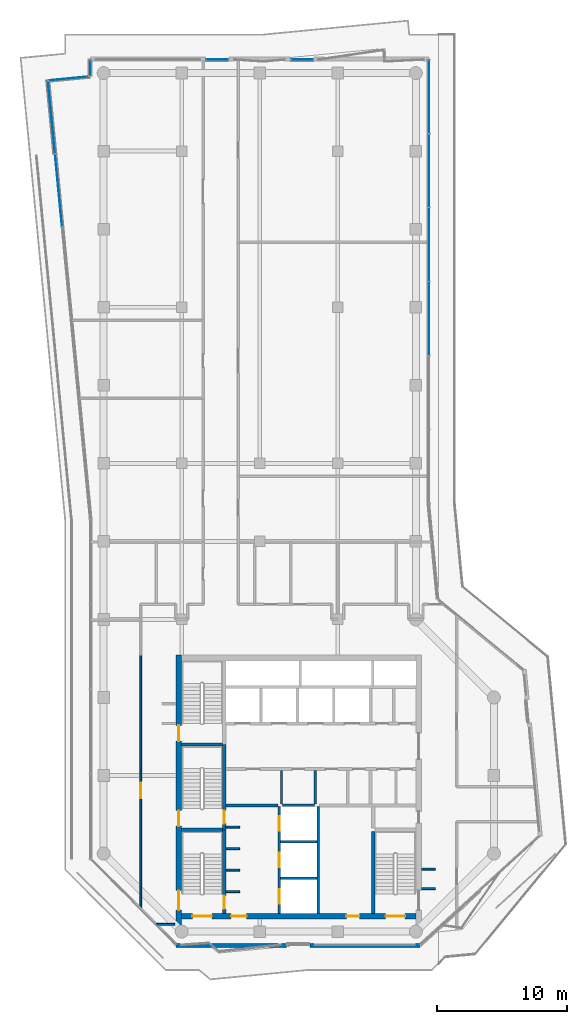
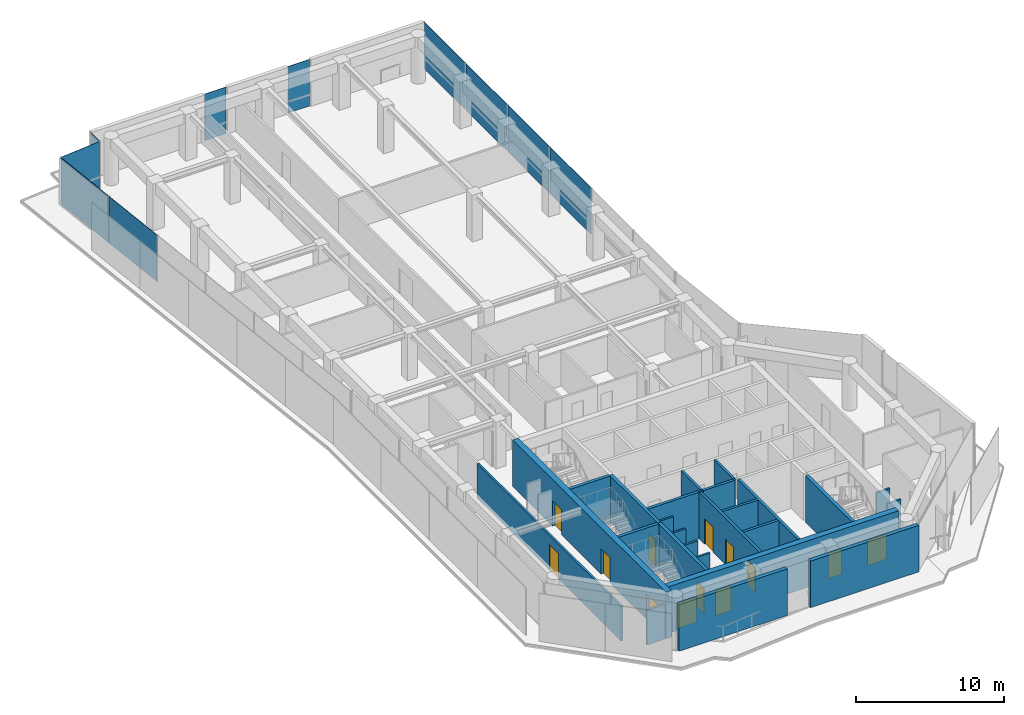
# One storey, part 18 of 23: 25 walls, 13 doors, 10 plates, 13 openings, 6 elements without a shape of their own.
"""IFC4 building model written with IfcOpenShell, lengths in metres."""

from ifc_helpers import new_model, si_unit, direction, frame, frame_2d, origin, origin_2d, place, context, subcontext, project, spatial, rectangle, extrude, material, layer, layer_set, type_object, element, fill, aggregate, save


model = new_model("IFC4")

# Units and contexts
model_context = context("Model", 3, precision=1e-05, world=origin(), true_north=direction((0.0, 1.0)))
body_context = subcontext(model_context, "Body", "Model", "MODEL_VIEW")
ifc_project = project(units=[si_unit("LENGTHUNIT", "METRE"), si_unit("AREAUNIT", "SQUARE_METRE"), si_unit("VOLUMEUNIT", "CUBIC_METRE"), si_unit("PLANEANGLEUNIT", "RADIAN"), si_unit("MASSUNIT", "GRAM", prefix="KILO")], contexts=[model_context])

# Site, building, storey
site_placement = place(None, origin())
site = spatial("IfcSite", under=ifc_project, at=site_placement, CompositionType="ELEMENT")
building_placement = place(site_placement, origin())
building = spatial("IfcBuilding", under=site, at=building_placement, Name="Welwitschia Terrace Campus", CompositionType="ELEMENT")
storey_placement = place(building_placement, frame((0.0, 0.0, 205.39990234375)))
storey = spatial("IfcBuildingStorey", under=building, at=storey_placement, Name="L45", CompositionType="ELEMENT", Elevation=205.39990234375)

# Curtain wall, plates
ifc_material_1 = material(Name="Bronze anodised aluminium", Category="aluminium")
ifc_layer_1 = layer(ifc_material_1, 0.1201171875)
ifc_layer_set_1 = layer_set([ifc_layer_1], Name="Bronze anodised aluminium")
curtain_wall_type = type_object("IfcCurtainWallType", Name="Curtain wall CW2 tower 6000", PredefinedType="NOTDEFINED", material=ifc_layer_set_1)
curtain_wall_1_placement = place(storey_placement, origin())
curtain_wall_1 = element("IfcCurtainWall", 1, at=curtain_wall_1_placement, inside=storey, type_object=curtain_wall_type, Name="CW L45.7.0", PredefinedType="NOTDEFINED")
ifc_material_2 = material(Name="Tinted bronze-grey glass", Category="glass")
ifc_layer_2 = layer(ifc_material_2, 0.028076171875)
ifc_layer_set_2 = layer_set([ifc_layer_2], Name="Tinted bronze-grey glass")
plate_type = type_object("IfcPlateType", Name="Glass panel 28 tinted", PredefinedType="CURTAIN_PANEL", material=ifc_layer_set_2)
plate_1_placement = place(storey_placement, frame((25.030029296875, 51.132080078125, 0.0), z_axis=(0.0, 0.0, 1.0), x_axis=(0.0, 1.0, 0.0)))
plate_1 = element("IfcPlate", 2, at=plate_1_placement, type_object=plate_type, Name="Panel L45.7.0.2", PredefinedType="CURTAIN_PANEL", context=body_context, shape_type="SweptSolid", body=[
    extrude(rectangle(XDim=5.625244140625, YDim=0.028076171875, at=origin_2d()), origin(), (0.0, 0.0, 1.0), 3.85009765625),
])
plate_2_placement = place(storey_placement, frame((25.030029296875, 56.817138671875, 0.0), z_axis=(0.0, 0.0, 1.0), x_axis=(0.0, 1.0, 0.0)))
plate_2 = element("IfcPlate", 3, at=plate_2_placement, type_object=plate_type, Name="Panel L45.7.0.3", PredefinedType="CURTAIN_PANEL", context=body_context, shape_type="SweptSolid", body=[
    extrude(rectangle(XDim=5.625244140625, YDim=0.028076171875, at=origin_2d()), origin(), (0.0, 0.0, 1.0), 3.85009765625),
])
plate_3_placement = place(storey_placement, frame((25.030029296875, 62.502197265625, 0.0), z_axis=(0.0, 0.0, 1.0), x_axis=(0.0, 1.0, 0.0)))
plate_3 = element("IfcPlate", 4, at=plate_3_placement, type_object=plate_type, Name="Panel L45.7.0.4", PredefinedType="CURTAIN_PANEL", context=body_context, shape_type="SweptSolid", body=[
    extrude(rectangle(XDim=5.625244140625, YDim=0.028076171875, at=origin_2d()), origin(), (0.0, 0.0, 1.0), 3.85009765625),
])
plate_4_placement = place(storey_placement, frame((25.030029296875, 68.17236328125, 0.0), z_axis=(0.0, 0.0, 1.0), x_axis=(0.0, 1.0, 0.0)))
plate_4 = element("IfcPlate", 5, at=plate_4_placement, type_object=plate_type, Name="Panel L45.7.0.5", PredefinedType="CURTAIN_PANEL", context=body_context, shape_type="SweptSolid", body=[
    extrude(rectangle(XDim=5.59521484375, YDim=0.028076171875, at=origin_2d()), origin(), (0.0, 0.0, 1.0), 3.85009765625),
])
aggregate(curtain_wall_1, [plate_1, plate_2, plate_3, plate_4])

# Curtain wall, plate
curtain_wall_2_placement = place(storey_placement, origin())
curtain_wall_2 = element("IfcCurtainWall", 6, at=curtain_wall_2_placement, inside=storey, type_object=curtain_wall_type, Name="CW L45.8.S0", PredefinedType="NOTDEFINED")
plate_5_placement = place(storey_placement, frame((15.257568359375, 71.030029296875, 0.0), z_axis=(0.0, 0.0, 1.0), x_axis=(-1.0, 0.0, 0.0)))
plate_5 = element("IfcPlate", 7, at=plate_5_placement, type_object=plate_type, Name="Panel L45.8.S0.0", PredefinedType="CURTAIN_PANEL", context=body_context, shape_type="SweptSolid", body=[
    extrude(rectangle(XDim=1.679931640625, YDim=0.028076171875, at=origin_2d()), origin(), (0.0, 0.0, 1.0), 3.85009765625),
])
aggregate(curtain_wall_2, [plate_5])

curtain_wall_3_placement = place(storey_placement, origin())
curtain_wall_3 = element("IfcCurtainWall", 8, at=curtain_wall_3_placement, inside=storey, type_object=curtain_wall_type, Name="CW L45.8.S1", PredefinedType="NOTDEFINED")
plate_6_placement = place(storey_placement, frame((8.742431640625, 71.030029296875, 0.0), z_axis=(0.0, 0.0, 1.0), x_axis=(-1.0, 0.0, 0.0)))
plate_6 = element("IfcPlate", 9, at=plate_6_placement, type_object=plate_type, Name="Panel L45.8.S1.0", PredefinedType="CURTAIN_PANEL", context=body_context, shape_type="SweptSolid", body=[
    extrude(rectangle(XDim=1.679931640625, YDim=0.028076171875, at=origin_2d()), origin(), (0.0, 0.0, 1.0), 3.85009765625),
])
aggregate(curtain_wall_3, [plate_6])

curtain_wall_4_placement = place(storey_placement, origin())
curtain_wall_4 = element("IfcCurtainWall", 10, at=curtain_wall_4_placement, inside=storey, type_object=curtain_wall_type, Name="CW L45.9.0", PredefinedType="NOTDEFINED")
plate_7_placement = place(storey_placement, frame((-1.030029296875, 70.3876953125, 0.0), z_axis=(0.0, 0.0, 1.0), x_axis=(0.0, -1.0, 0.0)))
plate_7 = element("IfcPlate", 11, at=plate_7_placement, type_object=plate_type, Name="Panel L45.9.0.0", PredefinedType="CURTAIN_PANEL", context=body_context, shape_type="SweptSolid", body=[
    extrude(rectangle(XDim=1.164306640625, YDim=0.028076171875, at=origin_2d()), origin(), (0.0, 0.0, 1.0), 3.85009765625),
])
aggregate(curtain_wall_4, [plate_7])

curtain_wall_5_placement = place(storey_placement, origin())
curtain_wall_5 = element("IfcCurtainWall", 12, at=curtain_wall_5_placement, inside=storey, type_object=curtain_wall_type, Name="CW L45.10.0", PredefinedType="NOTDEFINED")
plate_8_placement = place(storey_placement, frame((-2.655517578125, 69.589111328125, 0.0), z_axis=(0.0, 0.0, 1.0), x_axis=(-0.995396198367, -0.09584575252, 0.0)))
plate_8 = element("IfcPlate", 13, at=plate_8_placement, type_object=plate_type, Name="Panel L45.10.0.0", PredefinedType="CURTAIN_PANEL", context=body_context, shape_type="SweptSolid", body=[
    extrude(rectangle(XDim=3.146240234375, YDim=0.028076171875, at=origin_2d()), origin(), (0.0, 0.0, 1.0), 3.85009765625),
])
aggregate(curtain_wall_5, [plate_8])

# Curtain wall, plates
curtain_wall_6_placement = place(storey_placement, origin())
curtain_wall_6 = element("IfcCurtainWall", 14, at=curtain_wall_6_placement, inside=storey, type_object=curtain_wall_type, Name="CW L45.11.0", PredefinedType="NOTDEFINED")
plate_9_placement = place(storey_placement, frame((-4.0087890625, 66.603759765625, 0.0), z_axis=(0.0, 0.0, 1.0), x_axis=(0.09584575252, -0.995396198367, 0.0)))
plate_9 = element("IfcPlate", 15, at=plate_9_placement, type_object=plate_type, Name="Panel L45.11.0.0", PredefinedType="CURTAIN_PANEL", context=body_context, shape_type="SweptSolid", body=[
    extrude(rectangle(XDim=5.5634765625, YDim=0.028076171875, at=origin_2d()), origin(), (0.0, 0.0, 1.0), 3.85009765625),
])
plate_10_placement = place(storey_placement, frame((-3.468505859375, 60.9912109375, 0.0), z_axis=(0.0, 0.0, 1.0), x_axis=(0.09584575252, -0.995396198367, 0.0)))
plate_10 = element("IfcPlate", 16, at=plate_10_placement, type_object=plate_type, Name="Panel L45.11.0.1", PredefinedType="CURTAIN_PANEL", context=body_context, shape_type="SweptSolid", body=[
    extrude(rectangle(XDim=5.593505859375, YDim=0.028076171875, at=origin_2d()), origin(), (0.0, 0.0, 1.0), 3.85009765625),
])
aggregate(curtain_wall_6, [plate_9, plate_10])

# Walls
ifc_material_3 = material(Name="Concrete C32/40", Category="concrete")
ifc_layer_3 = layer(ifc_material_3, 0.175048828125)
ifc_layer_set_3 = layer_set([ifc_layer_3], Name="Concrete C32/40")
wall_type_1 = type_object("IfcWallType", Name="Core partition 175 Concrete C32/40", PredefinedType="PARTITIONING", material=ifc_layer_set_3)
for number, where, z_axis, x_axis, name in (
    (17, (13.675048828125, 13.800048828125, 0.0), (0.0, 0.0, 1.0), (0.0, 1.0, 0.0), "Core partition"),
    (18, (16.27490234375, 13.800048828125, 0.0), (0.0, 0.0, 1.0), (0.0, 1.0, 0.0), "Core partition"),
):
    element("IfcWall", number, at=place(storey_placement, frame(where, z_axis=z_axis, x_axis=x_axis)), inside=storey, type_object=wall_type_1, Name=name, PredefinedType="PARTITIONING", context=body_context, shape_type="SweptSolid", body=[
        extrude(rectangle(XDim=2.599853515625, YDim=0.175048828125, at=frame_2d((1.2998046875, 0.0))), origin(), (0.0, 0.0, 1.0), 3.85009765625),
    ])
ifc_material_4 = material(Name="Concrete C32/40", Category="concrete")
ifc_layer_4 = layer(ifc_material_4, 0.22509765625)
ifc_layer_set_4 = layer_set([ifc_layer_4], Name="Concrete C32/40")
wall_type_2 = type_object("IfcWallType", Name="Core partition 225 Concrete C32/40", PredefinedType="PARTITIONING", material=ifc_layer_set_4)
wall_1_placement = place(storey_placement, frame((9.39990234375, 13.699951171875, 0.0), z_axis=(0.0, 0.0, 1.0), x_axis=(1.0, 0.0, 0.0)))
element("IfcWall", 19, at=wall_1_placement, inside=storey, type_object=wall_type_2, Name="Core partition", PredefinedType="PARTITIONING", context=body_context, shape_type="SweptSolid", body=[
    extrude(rectangle(XDim=4.0, YDim=0.22509765625, at=frame_2d((2.0, 0.0))), origin(), (0.0, 0.0, 1.0), 3.85009765625),
])
ifc_material_5 = material(Name="Concrete C50/60", Category="concrete")
ifc_layer_5 = layer(ifc_material_5, 0.14990234375)
ifc_layer_set_5 = layer_set([ifc_layer_5], Name="Concrete C50/60")
wall_type_3 = type_object("IfcWallType", Name="Core wall 150 Concrete C50/60", PredefinedType="SHEAR", material=ifc_layer_set_5)
for number, where, z_axis, x_axis, name in (
    (20, (9.39990234375, 7.074951171875, 0.0), (0.0, 0.0, 1.0), (1.0, 0.0, 0.0), "Core wall"),
    (21, (9.39990234375, 8.72509765625, 0.0), (0.0, 0.0, 1.0), (1.0, 0.0, 0.0), "Core wall"),
    (22, (9.39990234375, 10.375, 0.0), (0.0, 0.0, 1.0), (1.0, 0.0, 0.0), "Core wall"),
    (23, (9.39990234375, 12.02490234375, 0.0), (0.0, 0.0, 1.0), (1.0, 0.0, 0.0), "Core wall"),
):
    element("IfcWall", number, at=place(storey_placement, frame(where, z_axis=z_axis, x_axis=x_axis)), inside=storey, type_object=wall_type_3, Name=name, PredefinedType="SHEAR", context=body_context, shape_type="SweptSolid", body=[
        extrude(rectangle(XDim=1.050048828125, YDim=0.14990234375, at=frame_2d((0.52490234375, 0.0))), origin(), (0.0, 0.0, 1.0), 3.85009765625),
    ])
ifc_material_6 = material(Name="Concrete C50/60", Category="concrete")
ifc_layer_6 = layer(ifc_material_6, 0.199951171875)
ifc_layer_set_6 = layer_set([ifc_layer_6], Name="Concrete C50/60")
wall_type_4 = type_object("IfcWallType", Name="Core wall 200 Concrete C50/60", PredefinedType="SHEAR", material=ifc_layer_set_6)
for number, where, z_axis, x_axis, name in (
    (24, (13.60009765625, 8.10009765625, 0.0), (0.0, 0.0, 1.0), (1.0, 0.0, 0.0), "Core wall"),
    (25, (13.60009765625, 10.89990234375, 0.0), (0.0, 0.0, 1.0), (1.0, 0.0, 0.0), "Core wall"),
):
    element("IfcWall", number, at=place(storey_placement, frame(where, z_axis=z_axis, x_axis=x_axis)), inside=storey, type_object=wall_type_4, Name=name, PredefinedType="SHEAR", context=body_context, shape_type="SweptSolid", body=[
        extrude(rectangle(XDim=2.7998046875, YDim=0.199951171875, at=frame_2d((1.39990234375, 0.0))), origin(), (0.0, 0.0, 1.0), 3.85009765625),
    ])
wall_2_placement = place(storey_placement, frame((13.75, 13.699951171875, 0.0), z_axis=(0.0, 0.0, 1.0), x_axis=(1.0, 0.0, 0.0)))
element("IfcWall", 26, at=wall_2_placement, inside=storey, type_object=wall_type_4, Name="Core wall", PredefinedType="SHEAR", context=body_context, shape_type="SweptSolid", body=[
    extrude(rectangle(XDim=2.449951171875, YDim=0.199951171875, at=frame_2d((1.22509765625, 0.0))), origin(), (0.0, 0.0, 1.0), 3.85009765625),
])

# Wall, openings, doors
wall_3_placement = place(storey_placement, frame((13.5, 5.39990234375, 0.0), z_axis=(0.0, 0.0, 1.0), x_axis=(0.0, 1.0, 0.0)))
wall_3 = element("IfcWall", 27, at=wall_3_placement, inside=storey, type_object=wall_type_4, Name="Core wall", PredefinedType="SHEAR", context=body_context, shape_type="SweptSolid", body=[
    extrude(rectangle(XDim=8.2001953125, YDim=0.199951171875, at=frame_2d((4.10009765625, 0.0))), origin(), (0.0, 0.0, 1.0), 3.85009765625),
])
opening_1_placement = place(wall_3_placement, frame((0.75, 0.0, 0.0)))
opening_1 = element("IfcOpeningElement", 28, at=opening_1_placement, cuts=wall_3, Name="Opening LD", PredefinedType="OPENING", context=body_context, shape_type="SweptSolid", body=[
    extrude(rectangle(XDim=1.10009765625, YDim=2.10009765625, at=frame_2d((0.550048828125, 1.050048828125))), frame((0.0, 0.10986328125, 0.0), z_axis=(0.0, -1.0, 0.0), x_axis=(1.0, 0.0, 0.0)), (0.0, 0.0, 1.0), 0.219970703125),
])
opening_2_placement = place(wall_3_placement, frame((3.550048828125, 0.0, 0.0)))
opening_2 = element("IfcOpeningElement", 29, at=opening_2_placement, cuts=wall_3, Name="Opening LD", PredefinedType="OPENING", context=body_context, shape_type="SweptSolid", body=[
    extrude(rectangle(XDim=1.10009765625, YDim=2.10009765625, at=frame_2d((0.550048828125, 1.050048828125))), frame((0.0, 0.10986328125, 0.0), z_axis=(0.0, -1.0, 0.0), x_axis=(1.0, 0.0, 0.0)), (0.0, 0.0, 1.0), 0.219970703125),
])
opening_3_placement = place(wall_3_placement, frame((6.35009765625, 0.0, 0.0)))
opening_3 = element("IfcOpeningElement", 30, at=opening_3_placement, cuts=wall_3, Name="Opening LD", PredefinedType="OPENING", context=body_context, shape_type="SweptSolid", body=[
    extrude(rectangle(XDim=1.10009765625, YDim=2.10009765625, at=frame_2d((0.550048828125, 1.050048828125))), frame((0.0, 0.10986328125, 0.0), z_axis=(0.0, -1.0, 0.0), x_axis=(1.0, 0.0, 0.0)), (0.0, 0.0, 1.0), 0.219970703125),
])
ifc_material_7 = material(Name="Stainless steel 304", Category="steel")
door_type_1 = type_object("IfcDoorType", Name="Lift landing door", OperationType="DOUBLE_DOOR_SLIDING", PredefinedType="DOOR", material=ifc_material_7)
door_1_placement = place(opening_1_placement, origin())
door_1 = element("IfcDoor", 31, at=door_1_placement, inside=storey, type_object=door_type_1, Name="Landing door FF1", OperationType="DOUBLE_DOOR_SLIDING", OverallHeight=2.10009765625, OverallWidth=1.10009765625, PredefinedType="DOOR", context=body_context, shape_type="SweptSolid", body=[
    extrude(rectangle(XDim=1.10009765625, YDim=2.10009765625, at=frame_2d((0.550048828125, 1.050048828125))), frame((0.0, 0.02490234375, 0.0), z_axis=(0.0, -1.0, 0.0), x_axis=(1.0, 0.0, 0.0)), (0.0, 0.0, 1.0), 0.050048828125),
])
fill(opening_1, door_1)
door_2_placement = place(opening_2_placement, origin())
door_2 = element("IfcDoor", 32, at=door_2_placement, inside=storey, type_object=door_type_1, Name="Landing door FF2", OperationType="DOUBLE_DOOR_SLIDING", OverallHeight=2.10009765625, OverallWidth=1.10009765625, PredefinedType="DOOR", context=body_context, shape_type="SweptSolid", body=[
    extrude(rectangle(XDim=1.10009765625, YDim=2.10009765625, at=frame_2d((0.550048828125, 1.050048828125))), frame((0.0, 0.02490234375, 0.0), z_axis=(0.0, -1.0, 0.0), x_axis=(1.0, 0.0, 0.0)), (0.0, 0.0, 1.0), 0.050048828125),
])
fill(opening_2, door_2)
door_3_placement = place(opening_3_placement, origin())
door_3 = element("IfcDoor", 33, at=door_3_placement, inside=storey, type_object=door_type_1, Name="Landing door SV1", OperationType="DOUBLE_DOOR_SLIDING", OverallHeight=2.10009765625, OverallWidth=1.10009765625, PredefinedType="DOOR", context=body_context, shape_type="SweptSolid", body=[
    extrude(rectangle(XDim=1.10009765625, YDim=2.10009765625, at=frame_2d((0.550048828125, 1.050048828125))), frame((0.0, 0.02490234375, 0.0), z_axis=(0.0, -1.0, 0.0), x_axis=(1.0, 0.0, 0.0)), (0.0, 0.0, 1.0), 0.050048828125),
])
fill(opening_3, door_3)

# Walls
wall_4_placement = place(storey_placement, frame((16.5, 5.39990234375, 0.0), z_axis=(0.0, 0.0, 1.0), x_axis=(0.0, 1.0, 0.0)))
element("IfcWall", 34, at=wall_4_placement, inside=storey, type_object=wall_type_4, Name="Core wall", PredefinedType="SHEAR", context=body_context, shape_type="SweptSolid", body=[
    extrude(rectangle(XDim=8.2001953125, YDim=0.199951171875, at=frame_2d((4.10009765625, 0.0))), origin(), (0.0, 0.0, 1.0), 3.85009765625),
])
ifc_material_8 = material(Name="Concrete C50/60", Category="concrete")
ifc_layer_7 = layer(ifc_material_8, 0.25)
ifc_layer_set_7 = layer_set([ifc_layer_7], Name="Concrete C50/60")
wall_type_5 = type_object("IfcWallType", Name="Core wall 250 Concrete C50/60", PredefinedType="SHEAR", material=ifc_layer_set_7)
for number, where, z_axis, x_axis, name in (
    (35, (6.0, 11.824951171875, 0.0), (0.0, 0.0, 1.0), (1.0, 0.0, 0.0), "Core wall"),
    (36, (6.0, 18.375, 0.0), (0.0, 0.0, 1.0), (1.0, 0.0, 0.0), "Core wall"),
):
    element("IfcWall", number, at=place(storey_placement, frame(where, z_axis=z_axis, x_axis=x_axis)), inside=storey, type_object=wall_type_5, Name=name, PredefinedType="SHEAR", context=body_context, shape_type="SweptSolid", body=[
        extrude(rectangle(XDim=3.14990234375, YDim=0.25, at=frame_2d((1.574951171875, 0.0))), origin(), (0.0, 0.0, 1.0), 3.85009765625),
    ])

# Wall, opening, door
wall_5_placement = place(storey_placement, frame((9.27490234375, 11.824951171875, 0.0), z_axis=(0.0, 0.0, 1.0), x_axis=(0.0, -1.0, 0.0)))
wall_5 = element("IfcWall", 37, at=wall_5_placement, inside=storey, type_object=wall_type_5, Name="Core wall", PredefinedType="SHEAR", context=body_context, shape_type="SweptSolid", body=[
    extrude(rectangle(XDim=6.425048828125, YDim=0.25, at=frame_2d((3.21240234375, 0.0))), origin(), (0.0, 0.0, 1.0), 3.85009765625),
])
opening_4_placement = place(wall_5_placement, frame((5.074951171875, 0.0, 0.0)))
opening_4 = element("IfcOpeningElement", 38, at=opening_4_placement, cuts=wall_5, Name="Opening DS10", PredefinedType="OPENING", context=body_context, shape_type="SweptSolid", body=[
    extrude(rectangle(XDim=1.0, YDim=2.10009765625, at=frame_2d((0.5, 1.050048828125))), frame((0.0, 0.135009765625, 0.0), z_axis=(0.0, -1.0, 0.0), x_axis=(1.0, 0.0, 0.0)), (0.0, 0.0, 1.0), 0.27001953125),
])
ifc_material_9 = material(Name="Steel S275", Category="steel")
door_type_2 = type_object("IfcDoorType", Name="Core door DS10", OperationType="SINGLE_SWING_LEFT", PredefinedType="DOOR", material=ifc_material_9)
door_4_placement = place(opening_4_placement, origin())
door_4 = element("IfcDoor", 39, at=door_4_placement, inside=storey, type_object=door_type_2, Name="Door S1-FL", OperationType="SINGLE_SWING_RIGHT", OverallHeight=2.10009765625, OverallWidth=1.0, PredefinedType="DOOR", context=body_context, shape_type="SweptSolid", body=[
    extrude(rectangle(XDim=1.0, YDim=2.10009765625, at=frame_2d((0.5, 1.050048828125))), frame((0.0, 0.02490234375, 0.0), z_axis=(0.0, -1.0, 0.0), x_axis=(1.0, 0.0, 0.0)), (0.0, 0.0, 1.0), 0.050048828125),
])
fill(opening_4, door_4)

wall_6_placement = place(storey_placement, frame((9.27490234375, 18.375, 0.0), z_axis=(0.0, 0.0, 1.0), x_axis=(0.0, -1.0, 0.0)))
wall_6 = element("IfcWall", 40, at=wall_6_placement, inside=storey, type_object=wall_type_5, Name="Core wall", PredefinedType="SHEAR", context=body_context, shape_type="SweptSolid", body=[
    extrude(rectangle(XDim=6.550048828125, YDim=0.25, at=frame_2d((3.27490234375, 0.0))), origin(), (0.0, 0.0, 1.0), 3.85009765625),
])
opening_5_placement = place(wall_6_placement, frame((5.074951171875, 0.0, 0.0)))
opening_5 = element("IfcOpeningElement", 41, at=opening_5_placement, cuts=wall_6, Name="Opening DS10", PredefinedType="OPENING", context=body_context, shape_type="SweptSolid", body=[
    extrude(rectangle(XDim=1.0, YDim=2.10009765625, at=frame_2d((0.5, 1.050048828125))), frame((0.0, 0.135009765625, 0.0), z_axis=(0.0, -1.0, 0.0), x_axis=(1.0, 0.0, 0.0)), (0.0, 0.0, 1.0), 0.27001953125),
])
door_5_placement = place(opening_5_placement, origin())
door_5 = element("IfcDoor", 42, at=door_5_placement, inside=storey, type_object=door_type_2, Name="Door S3-FL", OperationType="SINGLE_SWING_RIGHT", OverallHeight=2.10009765625, OverallWidth=1.0, PredefinedType="DOOR", context=body_context, shape_type="SweptSolid", body=[
    extrude(rectangle(XDim=1.0, YDim=2.10009765625, at=frame_2d((0.5, 1.050048828125))), frame((0.0, 0.02490234375, 0.0), z_axis=(0.0, -1.0, 0.0), x_axis=(1.0, 0.0, 0.0)), (0.0, 0.0, 1.0), 0.050048828125),
])
fill(opening_5, door_5)

# Wall
wall_7_placement = place(storey_placement, frame((20.72509765625, 5.39990234375, 0.0), z_axis=(0.0, 0.0, 1.0), x_axis=(0.0, 1.0, 0.0)))
element("IfcWall", 43, at=wall_7_placement, inside=storey, type_object=wall_type_5, Name="Core wall", PredefinedType="SHEAR", context=body_context, shape_type="SweptSolid", body=[
    extrude(rectangle(XDim=6.300048828125, YDim=0.25, at=frame_2d((3.14990234375, 0.0))), origin(), (0.0, 0.0, 1.0), 3.85009765625),
])

# Wall, openings, doors
ifc_material_10 = material(Name="Concrete C60/75", Category="concrete")
ifc_layer_8 = layer(ifc_material_10, 0.449951171875)
ifc_layer_set_8 = layer_set([ifc_layer_8], Name="Concrete C60/75")
wall_type_6 = type_object("IfcWallType", Name="Core wall 450 Concrete C60/75", PredefinedType="SHEAR", material=ifc_layer_set_8)
wall_8_placement = place(storey_placement, frame((5.77490234375, 4.469970703125, 0.0), z_axis=(0.0, 0.0, 1.0), x_axis=(0.0, 1.0, 0.0)))
wall_8 = element("IfcWall", 44, at=wall_8_placement, inside=storey, type_object=wall_type_6, Name="Core outer wall", PredefinedType="SHEAR", context=body_context, shape_type="SweptSolid", body=[
    extrude(rectangle(XDim=20.780029296875, YDim=0.449951171875, at=frame_2d((10.39013671875, 0.0))), origin(), (0.0, 0.0, 1.0), 3.85009765625),
])
opening_6_placement = place(wall_8_placement, frame((1.179931640625, 0.0, 0.0)))
opening_6 = element("IfcOpeningElement", 45, at=opening_6_placement, cuts=wall_8, Name="Opening DS15", PredefinedType="OPENING", context=body_context, shape_type="SweptSolid", body=[
    extrude(rectangle(XDim=1.5, YDim=2.10009765625, at=frame_2d((0.75, 1.050048828125))), frame((0.0, 0.23486328125, 0.0), z_axis=(0.0, -1.0, 0.0), x_axis=(1.0, 0.0, 0.0)), (0.0, 0.0, 1.0), 0.469970703125),
])
opening_7_placement = place(wall_8_placement, frame((7.6298828125, 0.0, 0.0)))
opening_7 = element("IfcOpeningElement", 46, at=opening_7_placement, cuts=wall_8, Name="Opening DS12", PredefinedType="OPENING", context=body_context, shape_type="SweptSolid", body=[
    extrude(rectangle(XDim=1.199951171875, YDim=2.10009765625, at=frame_2d((0.60009765625, 1.050048828125))), frame((0.0, 0.23486328125, 0.0), z_axis=(0.0, -1.0, 0.0), x_axis=(1.0, 0.0, 0.0)), (0.0, 0.0, 1.0), 0.469970703125),
])
opening_8_placement = place(wall_8_placement, frame((14.179931640625, 0.0, 0.0)))
opening_8 = element("IfcOpeningElement", 47, at=opening_8_placement, cuts=wall_8, Name="Opening DS12", PredefinedType="OPENING", context=body_context, shape_type="SweptSolid", body=[
    extrude(rectangle(XDim=1.199951171875, YDim=2.10009765625, at=frame_2d((0.60009765625, 1.050048828125))), frame((0.0, 0.23486328125, 0.0), z_axis=(0.0, -1.0, 0.0), x_axis=(1.0, 0.0, 0.0)), (0.0, 0.0, 1.0), 0.469970703125),
])
ifc_material_11 = material(Name="Steel S275", Category="steel")
door_type_3 = type_object("IfcDoorType", Name="Core door DS12", OperationType="SINGLE_SWING_LEFT", PredefinedType="DOOR", material=ifc_material_11)
door_6_placement = place(opening_7_placement, origin())
door_6 = element("IfcDoor", 48, at=door_6_placement, inside=storey, type_object=door_type_3, Name="Door S3-out", OperationType="SINGLE_SWING_LEFT", OverallHeight=2.10009765625, OverallWidth=1.199951171875, PredefinedType="DOOR", context=body_context, shape_type="SweptSolid", body=[
    extrude(rectangle(XDim=1.199951171875, YDim=2.10009765625, at=frame_2d((0.60009765625, 1.050048828125))), frame((0.0, 0.02490234375, 0.0), z_axis=(0.0, -1.0, 0.0), x_axis=(1.0, 0.0, 0.0)), (0.0, 0.0, 1.0), 0.050048828125),
])
fill(opening_7, door_6)
door_7_placement = place(opening_8_placement, origin())
door_7 = element("IfcDoor", 49, at=door_7_placement, inside=storey, type_object=door_type_3, Name="Door S4-out", OperationType="SINGLE_SWING_RIGHT", OverallHeight=2.10009765625, OverallWidth=1.199951171875, PredefinedType="DOOR", context=body_context, shape_type="SweptSolid", body=[
    extrude(rectangle(XDim=1.199951171875, YDim=2.10009765625, at=frame_2d((0.60009765625, 1.050048828125))), frame((0.0, 0.02490234375, 0.0), z_axis=(0.0, -1.0, 0.0), x_axis=(1.0, 0.0, 0.0)), (0.0, 0.0, 1.0), 0.050048828125),
])
fill(opening_8, door_7)
ifc_material_12 = material(Name="Steel S275", Category="steel")
door_type_4 = type_object("IfcDoorType", Name="Core door DS15", OperationType="DOUBLE_DOOR_SINGLE_SWING", PredefinedType="DOOR", material=ifc_material_12)
door_8_placement = place(opening_6_placement, origin())
door_8 = element("IfcDoor", 50, at=door_8_placement, inside=storey, type_object=door_type_4, Name="Door S1-out", OperationType="DOUBLE_DOOR_SINGLE_SWING", OverallHeight=2.10009765625, OverallWidth=1.5, PredefinedType="DOOR", context=body_context, shape_type="SweptSolid", body=[
    extrude(rectangle(XDim=1.5, YDim=2.10009765625, at=frame_2d((0.75, 1.050048828125))), frame((0.0, 0.02490234375, 0.0), z_axis=(0.0, -1.0, 0.0), x_axis=(1.0, 0.0, 0.0)), (0.0, 0.0, 1.0), 0.050048828125),
])
fill(opening_6, door_8)

wall_9_placement = place(storey_placement, frame((24.0, 5.175048828125, 0.0), z_axis=(0.0, 0.0, 1.0), x_axis=(-1.0, 0.0, 0.0)))
wall_9 = element("IfcWall", 51, at=wall_9_placement, inside=storey, type_object=wall_type_6, Name="Core outer wall", PredefinedType="SHEAR", context=body_context, shape_type="SweptSolid", body=[
    extrude(rectangle(XDim=18.0, YDim=0.449951171875, at=frame_2d((9.0, 0.0))), origin(), (0.0, 0.0, 1.0), 3.85009765625),
])
opening_9_placement = place(wall_9_placement, frame((0.824951171875, 0.0, 0.0)))
opening_9 = element("IfcOpeningElement", 52, at=opening_9_placement, cuts=wall_9, Name="Opening DS15", PredefinedType="OPENING", context=body_context, shape_type="SweptSolid", body=[
    extrude(rectangle(XDim=1.5, YDim=2.10009765625, at=frame_2d((0.75, 1.050048828125))), frame((0.0, 0.23486328125, 0.0), z_axis=(0.0, -1.0, 0.0), x_axis=(1.0, 0.0, 0.0)), (0.0, 0.0, 1.0), 0.469970703125),
])
opening_10_placement = place(wall_9_placement, frame((15.675048828125, 0.0, 0.0)))
opening_10 = element("IfcOpeningElement", 53, at=opening_10_placement, cuts=wall_9, Name="Opening DS15", PredefinedType="OPENING", context=body_context, shape_type="SweptSolid", body=[
    extrude(rectangle(XDim=1.5, YDim=2.10009765625, at=frame_2d((0.75, 1.050048828125))), frame((0.0, 0.23486328125, 0.0), z_axis=(0.0, -1.0, 0.0), x_axis=(1.0, 0.0, 0.0)), (0.0, 0.0, 1.0), 0.469970703125),
])
opening_11_placement = place(wall_9_placement, frame((13.0, 0.0, 0.0)))
opening_11 = element("IfcOpeningElement", 54, at=opening_11_placement, cuts=wall_9, Name="Opening DF12", PredefinedType="OPENING", context=body_context, shape_type="SweptSolid", body=[
    extrude(rectangle(XDim=1.199951171875, YDim=2.10009765625, at=frame_2d((0.60009765625, 1.050048828125))), frame((0.0, 0.23486328125, 0.0), z_axis=(0.0, -1.0, 0.0), x_axis=(1.0, 0.0, 0.0)), (0.0, 0.0, 1.0), 0.469970703125),
])
opening_12_placement = place(wall_9_placement, frame((4.35009765625, 0.0, 0.0)))
opening_12 = element("IfcOpeningElement", 55, at=opening_12_placement, cuts=wall_9, Name="Opening DR10", PredefinedType="OPENING", context=body_context, shape_type="SweptSolid", body=[
    extrude(rectangle(XDim=1.0, YDim=2.10009765625, at=frame_2d((0.5, 1.050048828125))), frame((0.0, 0.23486328125, 0.0), z_axis=(0.0, -1.0, 0.0), x_axis=(1.0, 0.0, 0.0)), (0.0, 0.0, 1.0), 0.469970703125),
])
ifc_material_13 = material(Name="Steel S275", Category="steel")
door_type_5 = type_object("IfcDoorType", Name="Core door DF12", OperationType="SINGLE_SWING_LEFT", PredefinedType="DOOR", material=ifc_material_13)
door_9_placement = place(opening_11_placement, origin())
door_9 = element("IfcDoor", 56, at=door_9_placement, inside=storey, type_object=door_type_5, Name="Door FL-out", OperationType="SINGLE_SWING_RIGHT", OverallHeight=2.10009765625, OverallWidth=1.199951171875, PredefinedType="DOOR", context=body_context, shape_type="SweptSolid", body=[
    extrude(rectangle(XDim=1.199951171875, YDim=2.10009765625, at=frame_2d((0.60009765625, 1.050048828125))), frame((0.0, 0.02490234375, 0.0), z_axis=(0.0, -1.0, 0.0), x_axis=(1.0, 0.0, 0.0)), (0.0, 0.0, 1.0), 0.050048828125),
])
fill(opening_11, door_9)
ifc_material_14 = material(Name="Steel S275", Category="steel")
door_type_6 = type_object("IfcDoorType", Name="Core door DR10", OperationType="SINGLE_SWING_LEFT", PredefinedType="DOOR", material=ifc_material_14)
door_10_placement = place(opening_12_placement, origin())
door_10 = element("IfcDoor", 57, at=door_10_placement, inside=storey, type_object=door_type_6, Name="Door F1-out", OperationType="SINGLE_SWING_LEFT", OverallHeight=2.10009765625, OverallWidth=1.0, PredefinedType="DOOR", context=body_context, shape_type="SweptSolid", body=[
    extrude(rectangle(XDim=1.0, YDim=2.10009765625, at=frame_2d((0.5, 1.050048828125))), frame((0.0, 0.02490234375, 0.0), z_axis=(0.0, -1.0, 0.0), x_axis=(1.0, 0.0, 0.0)), (0.0, 0.0, 1.0), 0.050048828125),
])
fill(opening_12, door_10)
door_11_placement = place(opening_9_placement, origin())
door_11 = element("IfcDoor", 58, at=door_11_placement, inside=storey, type_object=door_type_4, Name="Door S2-outS", OperationType="DOUBLE_DOOR_SINGLE_SWING", OverallHeight=2.10009765625, OverallWidth=1.5, PredefinedType="DOOR", context=body_context, shape_type="SweptSolid", body=[
    extrude(rectangle(XDim=1.5, YDim=2.10009765625, at=frame_2d((0.75, 1.050048828125))), frame((0.0, 0.02490234375, 0.0), z_axis=(0.0, -1.0, 0.0), x_axis=(1.0, 0.0, 0.0)), (0.0, 0.0, 1.0), 0.050048828125),
])
fill(opening_9, door_11)
door_12_placement = place(opening_10_placement, origin())
door_12 = element("IfcDoor", 59, at=door_12_placement, inside=storey, type_object=door_type_4, Name="Door S1-outS", OperationType="DOUBLE_DOOR_SINGLE_SWING", OverallHeight=2.10009765625, OverallWidth=1.5, PredefinedType="DOOR", context=body_context, shape_type="SweptSolid", body=[
    extrude(rectangle(XDim=1.5, YDim=2.10009765625, at=frame_2d((0.75, 1.050048828125))), frame((0.0, 0.02490234375, 0.0), z_axis=(0.0, -1.0, 0.0), x_axis=(1.0, 0.0, 0.0)), (0.0, 0.0, 1.0), 0.050048828125),
])
fill(opening_10, door_12)

# Wall, opening, door
ifc_material_15 = material(Name="Gypsum board on steel studs", Category="steel")
ifc_layer_9 = layer(ifc_material_15, 0.14990234375)
ifc_layer_set_9 = layer_set([ifc_layer_9], Name="Gypsum board on steel studs")
wall_type_7 = type_object("IfcWallType", Name="Corridor partition 150 EI 30", PredefinedType="PARTITIONING", material=ifc_layer_set_9)
wall_10_placement = place(storey_placement, frame((2.85009765625, 5.77001953125, 0.0), z_axis=(0.0, 0.0, 1.0), x_axis=(0.0, 1.0, 0.0)))
wall_10 = element("IfcWall", 60, at=wall_10_placement, inside=storey, type_object=wall_type_7, Name="Partition", PredefinedType="PARTITIONING", context=body_context, shape_type="SweptSolid", body=[
    extrude(rectangle(XDim=19.47998046875, YDim=0.14990234375, at=frame_2d((9.739990234375, 0.0))), origin(), (0.0, 0.0, 1.0), 2.880126953125),
])
opening_13_placement = place(wall_10_placement, frame((8.47998046875, 0.0, 0.0)))
opening_13 = element("IfcOpeningElement", 61, at=opening_13_placement, cuts=wall_10, Name="Opening DI12", PredefinedType="OPENING", context=body_context, shape_type="SweptSolid", body=[
    extrude(rectangle(XDim=1.199951171875, YDim=2.10009765625, at=frame_2d((0.60009765625, 1.050048828125))), frame((0.0, 0.0849609375, 0.0), z_axis=(0.0, -1.0, 0.0), x_axis=(1.0, 0.0, 0.0)), (0.0, 0.0, 1.0), 0.169921875),
])
ifc_material_16 = material(Name="Timber veneered door", Category="wood")
door_type_7 = type_object("IfcDoorType", Name="Interior door DI12", OperationType="NOTDEFINED", PredefinedType="DOOR", material=ifc_material_16)
door_13_placement = place(opening_13_placement, origin())
door_13 = element("IfcDoor", 62, at=door_13_placement, inside=storey, type_object=door_type_7, Name="Door L45 858", OperationType="SINGLE_SWING_LEFT", OverallHeight=2.10009765625, OverallWidth=1.199951171875, PredefinedType="DOOR", context=body_context, shape_type="SweptSolid", body=[
    extrude(rectangle(XDim=1.199951171875, YDim=2.10009765625, at=frame_2d((0.60009765625, 1.050048828125))), frame((0.0, 0.02490234375, 0.0), z_axis=(0.0, -1.0, 0.0), x_axis=(1.0, 0.0, 0.0)), (0.0, 0.0, 1.0), 0.050048828125),
])
fill(opening_13, door_13)

# Walls
wall_11_placement = place(storey_placement, frame((4.06005859375, 4.550048828125, 0.0), z_axis=(0.0, 0.0, 1.0), x_axis=(1.0, 0.0, 0.0)))
element("IfcWall", 63, at=wall_11_placement, inside=storey, type_object=wall_type_7, Name="Partition", PredefinedType="PARTITIONING", context=body_context, shape_type="SweptSolid", body=[
    extrude(rectangle(XDim=1.389892578125, YDim=0.14990234375, at=frame_2d((0.69482421875, 0.0))), origin(), (0.0, 0.0, 1.0), 2.880126953125),
])
for number, where, z_axis, x_axis, name in (
    (64, (24.449951171875, 7.300048828125, 0.0), (0.0, 0.0, 1.0), (1.0, 0.0, 0.0), "Partition"),
    (65, (24.449951171875, 8.800048828125, 0.0), (0.0, 0.0, 1.0), (1.0, 0.0, 0.0), "Partition"),
):
    element("IfcWall", number, at=place(storey_placement, frame(where, z_axis=z_axis, x_axis=x_axis)), inside=storey, type_object=wall_type_7, Name=name, PredefinedType="PARTITIONING", context=body_context, shape_type="SweptSolid", body=[
        extrude(rectangle(XDim=1.050048828125, YDim=0.14990234375, at=frame_2d((0.52490234375, 0.0))), origin(), (0.0, 0.0, 1.0), 2.880126953125),
    ])
ifc_material_17 = material(Name="Concrete C40/50", Category="concrete")
ifc_layer_10 = layer(ifc_material_17, 0.300048828125)
ifc_layer_set_10 = layer_set([ifc_layer_10], Name="Concrete C40/50")
wall_type_8 = type_object("IfcWallType", Name="Mass wall 300", PredefinedType="SOLIDWALL", material=ifc_layer_set_10)
for number, where, z_axis, x_axis, name in (
    (66, (5.573486328125, 2.92041015625, 0.0), (0.0, 0.0, 1.0), (1.0, 0.0, 0.0), "Mass wall L45.2.0"),
    (67, (15.853515625, 2.919921875, 0.0), (0.0, 0.0, 1.0), (1.0, 0.0, 0.0), "Mass wall L45.2.1"),
):
    element("IfcWall", number, at=place(storey_placement, frame(where, z_axis=z_axis, x_axis=x_axis)), inside=storey, type_object=wall_type_8, Name=name, PredefinedType="SOLIDWALL", context=body_context, shape_type="SweptSolid", body=[
        extrude(rectangle(XDim=8.47998046875, YDim=0.300048828125, at=frame_2d((4.239990234375, 0.0))), origin(), (0.0, 0.0, 1.0), 3.85009765625),
    ])

save(model, "model.ifc")
